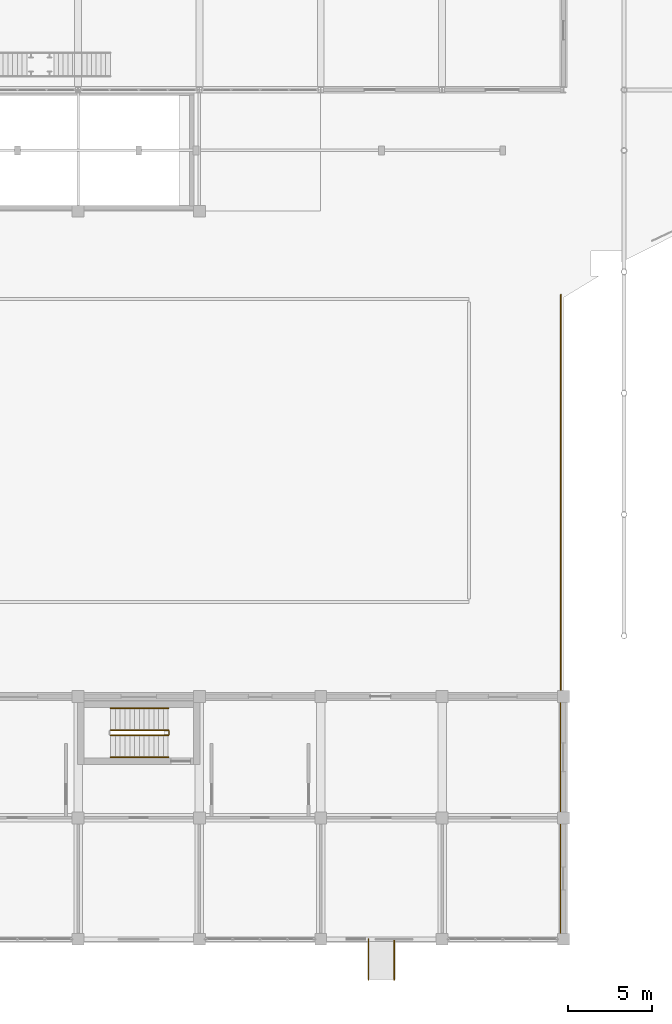
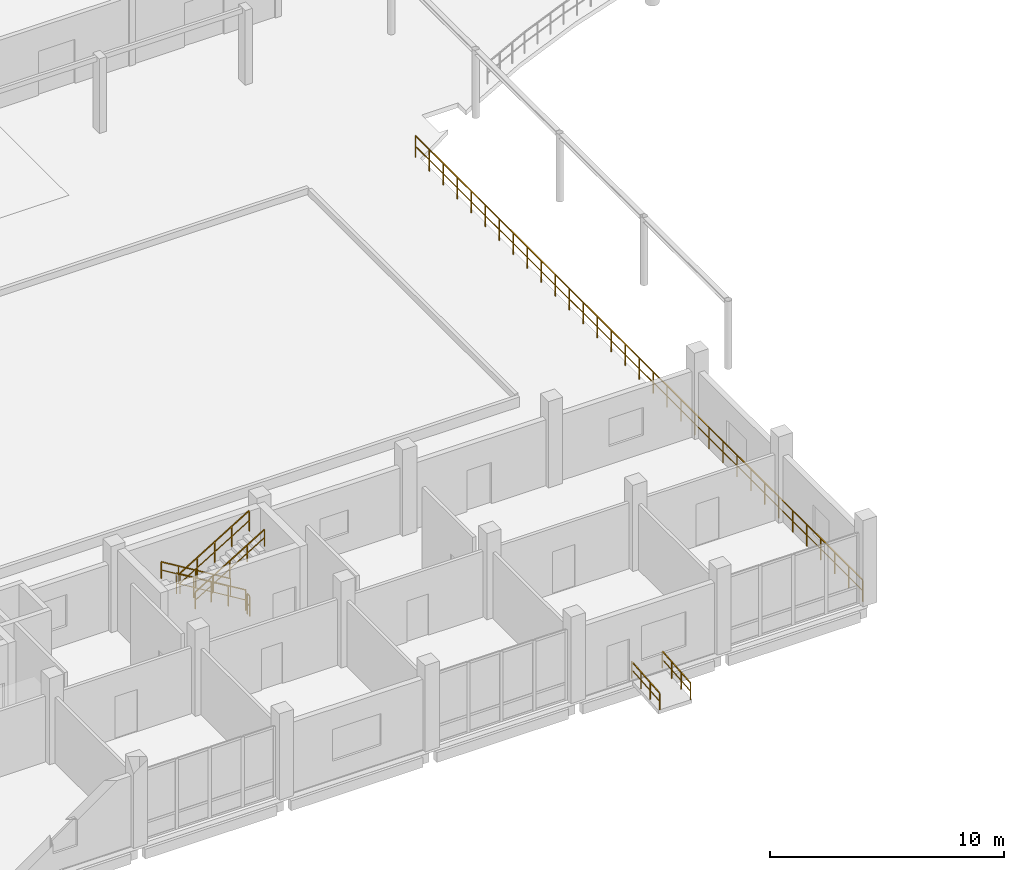
# One storey, part 130 of 139: 8 railings.
"""IFC4 building model written with IfcOpenShell, lengths in metres."""

from ifc_helpers import new_model, si_unit, direction, frame, origin, origin_2d, place, context, subcontext, project, spatial, rectangle, extrude, material, type_object, element, save


model = new_model("IFC4")

# Units and contexts
model_context = context("Model", 3, precision=1e-05, world=origin(), true_north=direction((0.0, 1.0)))
body_context = subcontext(model_context, "Body", "Model", "MODEL_VIEW")
ifc_project = project(units=[si_unit("LENGTHUNIT", "METRE"), si_unit("AREAUNIT", "SQUARE_METRE"), si_unit("VOLUMEUNIT", "CUBIC_METRE"), si_unit("PLANEANGLEUNIT", "RADIAN"), si_unit("MASSUNIT", "GRAM", prefix="KILO")], contexts=[model_context])

# Site, building, storey
site_placement = place(None, origin())
site = spatial("IfcSite", under=ifc_project, at=site_placement, CompositionType="ELEMENT")
building_placement = place(site_placement, origin())
building = spatial("IfcBuilding", under=site, at=building_placement, Name="Suanplinth Sawtooth Commons", CompositionType="ELEMENT")
storey_placement = place(building_placement, origin())
storey = spatial("IfcBuildingStorey", under=building, at=storey_placement, Name="L00", CompositionType="ELEMENT", Elevation=0.0)

# Railings
ifc_material_1 = material(Name="Powder-coated galvanized steel", Category="steel")
railing_type_1 = type_object("IfcRailingType", Name="GR-03", PredefinedType="BALUSTRADE", material=ifc_material_1)
railing_1_placement = place(storey_placement, frame((57.449951171875, 0.0, 0.0)))
element("IfcRailing", 1, at=railing_1_placement, inside=storey, type_object=railing_type_1, Name="Forecourt West Rim Guardrail", PredefinedType="BALUSTRADE", context=body_context, shape_type="SweptSolid", body=[
    extrude(rectangle(XDim=0.048095703125, YDim=0.048095703125, at=origin_2d()), frame((0.0, 0.0, 1.1259765625), z_axis=(0.0, 1.0, 0.0), x_axis=(-1.0, 0.0, 0.0)), (0.0, 0.0, 1.0), 38.24609375),
    extrude(rectangle(XDim=0.03369140625, YDim=0.03369140625, at=origin_2d()), frame((0.0, 0.0, 0.574951171875), z_axis=(0.0, 1.0, 0.0), x_axis=(-1.0, 0.0, 0.0)), (0.0, 0.0, 1.0), 38.24609375),
    extrude(rectangle(XDim=0.0419921875, YDim=0.0419921875, at=origin_2d()), origin(), (0.0, 0.0, 1.0), 1.101806640625),
    extrude(rectangle(XDim=0.0419921875, YDim=0.0419921875, at=origin_2d()), frame((0.0, 1.1953125, 0.0)), (0.0, 0.0, 1.0), 1.101806640625),
    extrude(rectangle(XDim=0.0419921875, YDim=0.0419921875, at=origin_2d()), frame((0.0, 2.390380859375, 0.0)), (0.0, 0.0, 1.0), 1.101806640625),
    extrude(rectangle(XDim=0.0419921875, YDim=0.0419921875, at=origin_2d()), frame((0.0, 3.58544921875, 0.0)), (0.0, 0.0, 1.0), 1.101806640625),
    extrude(rectangle(XDim=0.0419921875, YDim=0.0419921875, at=origin_2d()), frame((0.0, 4.78076171875, 0.0)), (0.0, 0.0, 1.0), 1.101806640625),
    extrude(rectangle(XDim=0.0419921875, YDim=0.0419921875, at=origin_2d()), frame((0.0, 5.97607421875, 0.0)), (0.0, 0.0, 1.0), 1.101806640625),
    extrude(rectangle(XDim=0.0419921875, YDim=0.0419921875, at=origin_2d()), frame((0.0, 7.171142578125, 0.0)), (0.0, 0.0, 1.0), 1.101806640625),
    extrude(rectangle(XDim=0.0419921875, YDim=0.0419921875, at=origin_2d()), frame((0.0, 8.3662109375, 0.0)), (0.0, 0.0, 1.0), 1.101806640625),
    extrude(rectangle(XDim=0.0419921875, YDim=0.0419921875, at=origin_2d()), frame((0.0, 9.5615234375, 0.0)), (0.0, 0.0, 1.0), 1.101806640625),
    extrude(rectangle(XDim=0.0419921875, YDim=0.0419921875, at=origin_2d()), frame((0.0, 10.7568359375, 0.0)), (0.0, 0.0, 1.0), 1.101806640625),
    extrude(rectangle(XDim=0.0419921875, YDim=0.0419921875, at=origin_2d()), frame((0.0, 11.951904296875, 0.0)), (0.0, 0.0, 1.0), 1.101806640625),
    extrude(rectangle(XDim=0.0419921875, YDim=0.0419921875, at=origin_2d()), frame((0.0, 13.14697265625, 0.0)), (0.0, 0.0, 1.0), 1.101806640625),
    extrude(rectangle(XDim=0.0419921875, YDim=0.0419921875, at=origin_2d()), frame((0.0, 14.34228515625, 0.0)), (0.0, 0.0, 1.0), 1.101806640625),
    extrude(rectangle(XDim=0.0419921875, YDim=0.0419921875, at=origin_2d()), frame((0.0, 15.53759765625, 0.0)), (0.0, 0.0, 1.0), 1.101806640625),
    extrude(rectangle(XDim=0.0419921875, YDim=0.0419921875, at=origin_2d()), frame((0.0, 16.732666015625, 0.0)), (0.0, 0.0, 1.0), 1.101806640625),
    extrude(rectangle(XDim=0.0419921875, YDim=0.0419921875, at=origin_2d()), frame((0.0, 17.927734375, 0.0)), (0.0, 0.0, 1.0), 1.101806640625),
    extrude(rectangle(XDim=0.0419921875, YDim=0.0419921875, at=origin_2d()), frame((0.0, 19.123046875, 0.0)), (0.0, 0.0, 1.0), 1.101806640625),
    extrude(rectangle(XDim=0.0419921875, YDim=0.0419921875, at=origin_2d()), frame((0.0, 20.318359375, 0.0)), (0.0, 0.0, 1.0), 1.101806640625),
    extrude(rectangle(XDim=0.0419921875, YDim=0.0419921875, at=origin_2d()), frame((0.0, 21.513427734375, 0.0)), (0.0, 0.0, 1.0), 1.101806640625),
    extrude(rectangle(XDim=0.0419921875, YDim=0.0419921875, at=origin_2d()), frame((0.0, 22.70849609375, 0.0)), (0.0, 0.0, 1.0), 1.101806640625),
    extrude(rectangle(XDim=0.0419921875, YDim=0.0419921875, at=origin_2d()), frame((0.0, 23.90380859375, 0.0)), (0.0, 0.0, 1.0), 1.101806640625),
    extrude(rectangle(XDim=0.0419921875, YDim=0.0419921875, at=origin_2d()), frame((0.0, 25.09912109375, 0.0)), (0.0, 0.0, 1.0), 1.101806640625),
    extrude(rectangle(XDim=0.0419921875, YDim=0.0419921875, at=origin_2d()), frame((0.0, 26.294189453125, 0.0)), (0.0, 0.0, 1.0), 1.101806640625),
    extrude(rectangle(XDim=0.0419921875, YDim=0.0419921875, at=origin_2d()), frame((0.0, 27.4892578125, 0.0)), (0.0, 0.0, 1.0), 1.101806640625),
    extrude(rectangle(XDim=0.0419921875, YDim=0.0419921875, at=origin_2d()), frame((0.0, 28.6845703125, 0.0)), (0.0, 0.0, 1.0), 1.101806640625),
    extrude(rectangle(XDim=0.0419921875, YDim=0.0419921875, at=origin_2d()), frame((0.0, 29.8798828125, 0.0)), (0.0, 0.0, 1.0), 1.101806640625),
    extrude(rectangle(XDim=0.0419921875, YDim=0.0419921875, at=origin_2d()), frame((0.0, 31.074951171875, 0.0)), (0.0, 0.0, 1.0), 1.101806640625),
    extrude(rectangle(XDim=0.0419921875, YDim=0.0419921875, at=origin_2d()), frame((0.0, 32.27001953125, 0.0)), (0.0, 0.0, 1.0), 1.101806640625),
    extrude(rectangle(XDim=0.0419921875, YDim=0.0419921875, at=origin_2d()), frame((0.0, 33.46533203125, 0.0)), (0.0, 0.0, 1.0), 1.101806640625),
    extrude(rectangle(XDim=0.0419921875, YDim=0.0419921875, at=origin_2d()), frame((0.0, 34.66064453125, 0.0)), (0.0, 0.0, 1.0), 1.101806640625),
    extrude(rectangle(XDim=0.0419921875, YDim=0.0419921875, at=origin_2d()), frame((0.0, 35.855712890625, 0.0)), (0.0, 0.0, 1.0), 1.101806640625),
    extrude(rectangle(XDim=0.0419921875, YDim=0.0419921875, at=origin_2d()), frame((0.0, 37.05078125, 0.0)), (0.0, 0.0, 1.0), 1.101806640625),
    extrude(rectangle(XDim=0.0419921875, YDim=0.0419921875, at=origin_2d()), frame((0.0, 38.24609375, 0.0)), (0.0, 0.0, 1.0), 1.101806640625),
])
ifc_material_2 = material(Name="Stainless steel Grade 304", Category="steel")
railing_type_2 = type_object("IfcRailingType", Name="GR-04", PredefinedType="GUARDRAIL", material=ifc_material_2)
railing_2_placement = place(storey_placement, frame((34.14990234375, 12.39990234375, 0.173095703125)))
element("IfcRailing", 2, at=railing_2_placement, inside=storey, type_object=railing_type_2, Name="L00 ST-W2 Guard 1", PredefinedType="GUARDRAIL", context=body_context, shape_type="SweptSolid", body=[
    extrude(rectangle(XDim=0.048095703125, YDim=0.048095703125, at=origin_2d()), frame((0.0, 0.0, 1.076171875), z_axis=(-0.854729506542, 0.0, 0.519073665916), x_axis=(0.0, -1.0, 0.0)), (0.0, 0.0, 1.0), 4.001220703125),
    extrude(rectangle(XDim=0.03369140625, YDim=0.03369140625, at=origin_2d()), frame((0.0, 0.0, 0.550048828125), z_axis=(-0.854729506542, 0.0, 0.519073665916), x_axis=(0.0, -1.0, 0.0)), (0.0, 0.0, 1.0), 4.001220703125),
    extrude(rectangle(XDim=0.0419921875, YDim=0.0419921875, at=origin_2d()), origin(), (0.0, 0.0, 1.0), 1.052001953125),
    extrude(rectangle(XDim=0.0419921875, YDim=0.0419921875, at=origin_2d()), frame((-0.85498046875, 0.0, 0.519287109375)), (0.0, 0.0, 1.0), 1.052001953125),
    extrude(rectangle(XDim=0.0419921875, YDim=0.0419921875, at=origin_2d()), frame((-1.7099609375, 0.0, 1.03857421875)), (0.0, 0.0, 1.0), 1.052001953125),
    extrude(rectangle(XDim=0.0419921875, YDim=0.0419921875, at=origin_2d()), frame((-2.56494140625, 0.0, 1.5576171875)), (0.0, 0.0, 1.0), 1.052001953125),
    extrude(rectangle(XDim=0.0419921875, YDim=0.0419921875, at=origin_2d()), frame((-3.419921875, 0.0, 2.076904296875)), (0.0, 0.0, 1.0), 1.052001953125),
])
railing_3_placement = place(storey_placement, frame((30.72998046875, 12.10009765625, 2.423095703125)))
element("IfcRailing", 3, at=railing_3_placement, inside=storey, type_object=railing_type_2, Name="L00 ST-W2 Guard 3", PredefinedType="GUARDRAIL", context=body_context, shape_type="SweptSolid", body=[
    extrude(rectangle(XDim=0.048095703125, YDim=0.048095703125, at=origin_2d()), frame((0.0, 0.0, 1.076171875), z_axis=(0.854729506542, 0.0, 0.519073665916), x_axis=(0.0, 1.0, 0.0)), (0.0, 0.0, 1.0), 4.001220703125),
    extrude(rectangle(XDim=0.03369140625, YDim=0.03369140625, at=origin_2d()), frame((0.0, 0.0, 0.550048828125), z_axis=(0.854729506542, 0.0, 0.519073665916), x_axis=(0.0, 1.0, 0.0)), (0.0, 0.0, 1.0), 4.001220703125),
    extrude(rectangle(XDim=0.0419921875, YDim=0.0419921875, at=origin_2d()), origin(), (0.0, 0.0, 1.0), 1.052001953125),
    extrude(rectangle(XDim=0.0419921875, YDim=0.0419921875, at=origin_2d()), frame((0.85498046875, 0.0, 0.519287109375)), (0.0, 0.0, 1.0), 1.052001953125),
    extrude(rectangle(XDim=0.0419921875, YDim=0.0419921875, at=origin_2d()), frame((1.7099609375, 0.0, 1.03857421875)), (0.0, 0.0, 1.0), 1.052001953125),
    extrude(rectangle(XDim=0.0419921875, YDim=0.0419921875, at=origin_2d()), frame((2.56494140625, 0.0, 1.5576171875)), (0.0, 0.0, 1.0), 1.052001953125),
    extrude(rectangle(XDim=0.0419921875, YDim=0.0419921875, at=origin_2d()), frame((3.419921875, 0.0, 2.076904296875)), (0.0, 0.0, 1.0), 1.052001953125),
])
railing_4_placement = place(storey_placement, frame((34.199951171875, 12.35009765625, 0.0)))
element("IfcRailing", 4, at=railing_4_placement, inside=storey, type_object=railing_type_2, Name="L00 ST-W2 Guard 4", PredefinedType="GUARDRAIL", context=body_context, shape_type="SweptSolid", body=[
    extrude(rectangle(XDim=0.048095703125, YDim=0.048095703125, at=origin_2d()), frame((0.0, 0.0, 1.076171875), z_axis=(0.0, -1.0, 0.0), x_axis=(1.0, 0.0, 0.0)), (0.0, 0.0, 1.0), 0.2001953125),
    extrude(rectangle(XDim=0.03369140625, YDim=0.03369140625, at=origin_2d()), frame((0.0, 0.0, 0.550048828125), z_axis=(0.0, -1.0, 0.0), x_axis=(1.0, 0.0, 0.0)), (0.0, 0.0, 1.0), 0.2001953125),
    extrude(rectangle(XDim=0.0419921875, YDim=0.0419921875, at=origin_2d()), origin(), (0.0, 0.0, 1.0), 1.052001953125),
    extrude(rectangle(XDim=0.0419921875, YDim=0.0419921875, at=origin_2d()), frame((0.0, -0.2001953125, 0.0)), (0.0, 0.0, 1.0), 1.052001953125),
])
railing_type_3 = type_object("IfcRailingType", Name="HR-01", PredefinedType="HANDRAIL", material=ifc_material_2)
railing_5_placement = place(storey_placement, frame((34.14990234375, 13.699951171875, 0.173095703125)))
element("IfcRailing", 5, at=railing_5_placement, inside=storey, type_object=railing_type_3, Name="L00 ST-W2 Handrail 1", PredefinedType="HANDRAIL", context=body_context, shape_type="SweptSolid", body=[
    extrude(rectangle(XDim=0.048095703125, YDim=0.048095703125, at=origin_2d()), frame((0.0, 0.0, 0.8759765625), z_axis=(-0.854729506542, 0.0, 0.519073665916), x_axis=(0.0, -1.0, 0.0)), (0.0, 0.0, 1.0), 4.001220703125),
    extrude(rectangle(XDim=0.03369140625, YDim=0.03369140625, at=origin_2d()), frame((0.0, 0.0, 0.449951171875), z_axis=(-0.854729506542, 0.0, 0.519073665916), x_axis=(0.0, -1.0, 0.0)), (0.0, 0.0, 1.0), 4.001220703125),
    extrude(rectangle(XDim=0.0419921875, YDim=0.0419921875, at=origin_2d()), origin(), (0.0, 0.0, 1.0), 0.851806640625),
    extrude(rectangle(XDim=0.0419921875, YDim=0.0419921875, at=origin_2d()), frame((-0.85498046875, 0.0, 0.519287109375)), (0.0, 0.0, 1.0), 0.851806640625),
    extrude(rectangle(XDim=0.0419921875, YDim=0.0419921875, at=origin_2d()), frame((-1.7099609375, 0.0, 1.03857421875)), (0.0, 0.0, 1.0), 0.851806640625),
    extrude(rectangle(XDim=0.0419921875, YDim=0.0419921875, at=origin_2d()), frame((-2.56494140625, 0.0, 1.5576171875)), (0.0, 0.0, 1.0), 0.851806640625),
    extrude(rectangle(XDim=0.0419921875, YDim=0.0419921875, at=origin_2d()), frame((-3.419921875, 0.0, 2.076904296875)), (0.0, 0.0, 1.0), 0.851806640625),
])
railing_6_placement = place(storey_placement, frame((30.72998046875, 10.800048828125, 2.423095703125)))
element("IfcRailing", 6, at=railing_6_placement, inside=storey, type_object=railing_type_3, Name="L00 ST-W2 Handrail 2", PredefinedType="HANDRAIL", context=body_context, shape_type="SweptSolid", body=[
    extrude(rectangle(XDim=0.048095703125, YDim=0.048095703125, at=origin_2d()), frame((0.0, 0.0, 0.8759765625), z_axis=(0.854729506542, 0.0, 0.519073665916), x_axis=(0.0, 1.0, 0.0)), (0.0, 0.0, 1.0), 4.001220703125),
    extrude(rectangle(XDim=0.03369140625, YDim=0.03369140625, at=origin_2d()), frame((0.0, 0.0, 0.449951171875), z_axis=(0.854729506542, 0.0, 0.519073665916), x_axis=(0.0, 1.0, 0.0)), (0.0, 0.0, 1.0), 4.001220703125),
    extrude(rectangle(XDim=0.0419921875, YDim=0.0419921875, at=origin_2d()), origin(), (0.0, 0.0, 1.0), 0.851806640625),
    extrude(rectangle(XDim=0.0419921875, YDim=0.0419921875, at=origin_2d()), frame((0.85498046875, 0.0, 0.519287109375)), (0.0, 0.0, 1.0), 0.851806640625),
    extrude(rectangle(XDim=0.0419921875, YDim=0.0419921875, at=origin_2d()), frame((1.7099609375, 0.0, 1.03857421875)), (0.0, 0.0, 1.0), 0.851806640625),
    extrude(rectangle(XDim=0.0419921875, YDim=0.0419921875, at=origin_2d()), frame((2.56494140625, 0.0, 1.5576171875)), (0.0, 0.0, 1.0), 0.851806640625),
    extrude(rectangle(XDim=0.0419921875, YDim=0.0419921875, at=origin_2d()), frame((3.419921875, 0.0, 2.076904296875)), (0.0, 0.0, 1.0), 0.851806640625),
])
for number, where, name in (
    (7, (46.0400390625, -2.39990234375, -0.199951171875), "RMP-AR-05 Handrail"),
    (8, (47.56005859375, -2.39990234375, -0.199951171875), "RMP-AR-05 Handrail"),
):
    element("IfcRailing", number, at=place(storey_placement, frame(where)), inside=storey, type_object=railing_type_3, Name=name, PredefinedType="HANDRAIL", context=body_context, shape_type="SweptSolid", body=[
        extrude(rectangle(XDim=0.048095703125, YDim=0.048095703125, at=origin_2d()), frame((0.0, 0.0, 0.8759765625), z_axis=(0.0, 0.996547156423, 0.083028700011), x_axis=(-1.0, 0.0, 0.0)), (0.0, 0.0, 1.0), 2.408203125),
        extrude(rectangle(XDim=0.03369140625, YDim=0.03369140625, at=origin_2d()), frame((0.0, 0.0, 0.449951171875), z_axis=(0.0, 0.996547156423, 0.083028700011), x_axis=(-1.0, 0.0, 0.0)), (0.0, 0.0, 1.0), 2.408203125),
        extrude(rectangle(XDim=0.0419921875, YDim=0.0419921875, at=origin_2d()), origin(), (0.0, 0.0, 1.0), 0.851806640625),
        extrude(rectangle(XDim=0.0419921875, YDim=0.0419921875, at=origin_2d()), frame((0.0, 0.800048828125, 0.066650390625)), (0.0, 0.0, 1.0), 0.851806640625),
        extrude(rectangle(XDim=0.0419921875, YDim=0.0419921875, at=origin_2d()), frame((0.0, 1.599853515625, 0.13330078125)), (0.0, 0.0, 1.0), 0.851806640625),
        extrude(rectangle(XDim=0.0419921875, YDim=0.0419921875, at=origin_2d()), frame((0.0, 2.39990234375, 0.199951171875)), (0.0, 0.0, 1.0), 0.851806640625),
    ])

save(model, "model.ifc")
